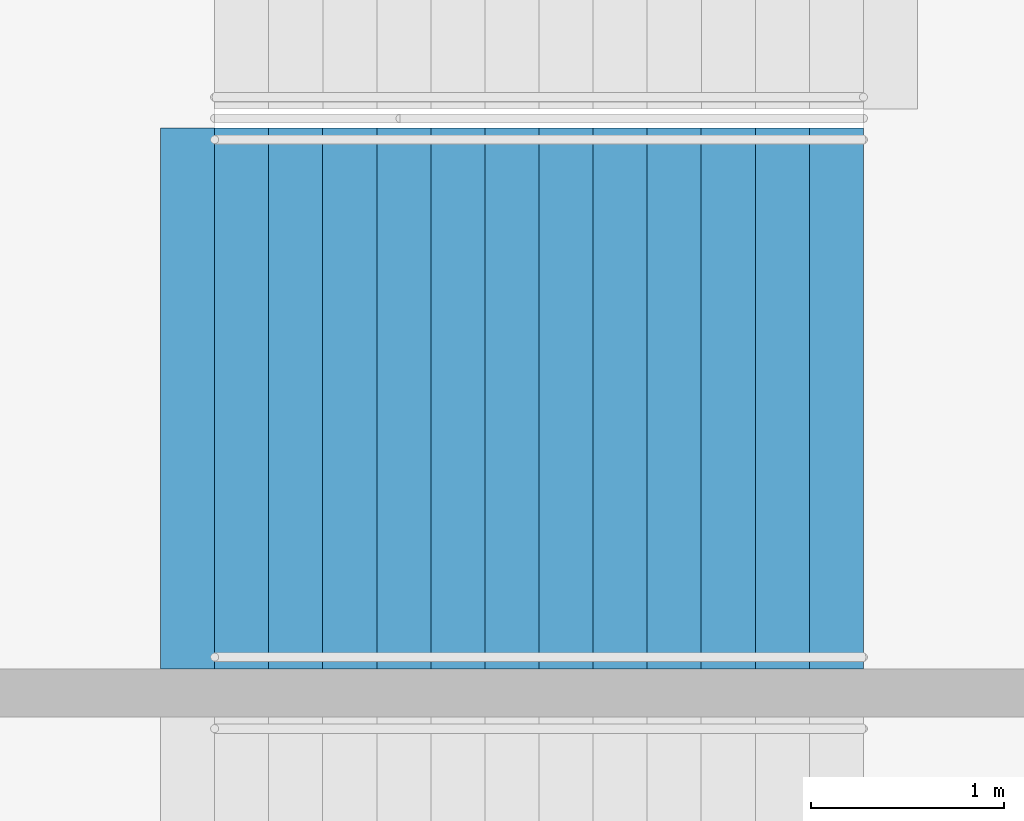
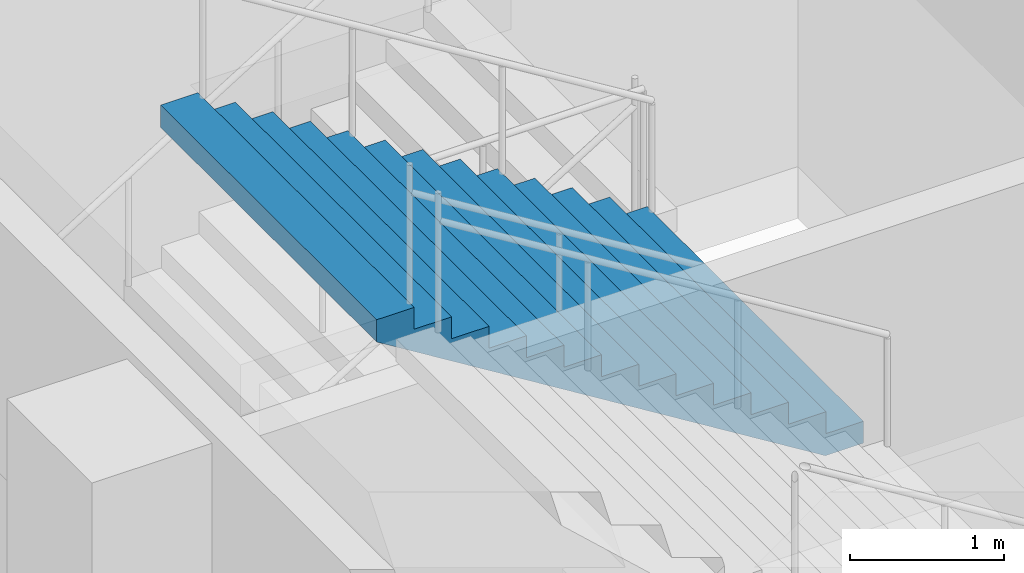
# One storey, part 140 of 199: 1 stair flight, 1 element without a shape of its own.
"""IFC4 building model written with IfcOpenShell, lengths in metres."""

from ifc_helpers import new_model, si_unit, direction, frame, origin, place, context, subcontext, project, spatial, faceted_brep, material, type_object, element, aggregate, save


model = new_model("IFC4")

# Units and contexts
model_context = context("Model", 3, precision=1e-05, world=origin(), true_north=direction((0.0, 1.0)))
body_context = subcontext(model_context, "Body", "Model", "MODEL_VIEW")
ifc_project = project(units=[si_unit("LENGTHUNIT", "METRE"), si_unit("AREAUNIT", "SQUARE_METRE"), si_unit("VOLUMEUNIT", "CUBIC_METRE"), si_unit("PLANEANGLEUNIT", "RADIAN"), si_unit("MASSUNIT", "GRAM", prefix="KILO")], contexts=[model_context])

# Site, building, storey
site_placement = place(None, origin())
site = spatial("IfcSite", under=ifc_project, at=site_placement, CompositionType="ELEMENT")
building_placement = place(site_placement, origin())
building = spatial("IfcBuilding", under=site, at=building_placement, Name="Ogive Plaza Stadium", CompositionType="ELEMENT")
storey_placement = place(building_placement, frame((0.0, 0.0, 9.0)))
storey = spatial("IfcBuildingStorey", under=building, at=storey_placement, Name="L02", CompositionType="ELEMENT", Elevation=9.0)

# Stair, stair flight
ifc_material_1 = material(Name="Concrete C40/50", Category="concrete")
stair_type = type_object("IfcStairType", Name="Exit stair", PredefinedType="STRAIGHT_RUN_STAIR", material=ifc_material_1)
stair_placement = place(storey_placement, origin())
stair = element("IfcStair", 1, at=stair_placement, inside=storey, type_object=stair_type, Name="Exit stair ST08B L02 to L03", PredefinedType="STRAIGHT_RUN_STAIR")
ifc_material_2 = material(Name="Concrete C40/50", Category="concrete")
stair_flight_type = type_object("IfcStairFlightType", Name="Exit stair flight", PredefinedType="STRAIGHT", material=ifc_material_2)
stair_flight_placement = place(storey_placement, frame((79.7099609375, -50.97509765625, 2.25), z_axis=(0.0, 0.0, 1.0), x_axis=(-1.0, 0.0, 0.0)))
stair_flight = element("IfcStairFlight", 2, at=stair_flight_placement, type_object=stair_flight_type, Name="ST08B flight 2", NumberOfRisers=13, NumberOfTreads=12, PredefinedType="STRAIGHT", RiserHeight=0.173076923, TreadLength=0.28, context=body_context, shape_type="Brep", body=[
    faceted_brep([(0.28515625, -1.39990234375, 0.0), (3.639892578125, -1.39990234375, 2.07373046875), (3.639892578125, -1.39990234375, 2.25), (3.360107421875, -1.39990234375, 2.25), (3.360107421875, -1.39990234375, 2.076904296875), (3.080078125, -1.39990234375, 2.076904296875), (3.080078125, -1.39990234375, 1.90380859375), (2.800048828125, -1.39990234375, 1.90380859375), (2.800048828125, -1.39990234375, 1.730712890625), (2.52001953125, -1.39990234375, 1.730712890625), (2.52001953125, -1.39990234375, 1.5576171875), (2.239990234375, -1.39990234375, 1.5576171875), (2.239990234375, -1.39990234375, 1.384521484375), (1.9599609375, -1.39990234375, 1.384521484375), (1.9599609375, -1.39990234375, 1.21142578125), (1.679931640625, -1.39990234375, 1.21142578125), (1.679931640625, -1.39990234375, 1.03857421875), (1.39990234375, -1.39990234375, 1.03857421875), (1.39990234375, -1.39990234375, 0.865478515625), (1.1201171875, -1.39990234375, 0.865478515625), (1.1201171875, -1.39990234375, 0.6923828125), (0.840087890625, -1.39990234375, 0.6923828125), (0.840087890625, -1.39990234375, 0.519287109375), (0.56005859375, -1.39990234375, 0.519287109375), (0.56005859375, -1.39990234375, 0.34619140625), (0.280029296875, -1.39990234375, 0.34619140625), (0.280029296875, -1.39990234375, 0.173095703125), (0.0, -1.39990234375, 0.173095703125), (0.0, -1.39990234375, 0.0), (0.0, 1.39990234375, 0.0), (0.0, 1.39990234375, 0.173095703125), (0.280029296875, 1.39990234375, 0.173095703125), (0.280029296875, 1.39990234375, 0.34619140625), (0.56005859375, 1.39990234375, 0.34619140625), (0.56005859375, 1.39990234375, 0.519287109375), (0.840087890625, 1.39990234375, 0.519287109375), (0.840087890625, 1.39990234375, 0.6923828125), (1.1201171875, 1.39990234375, 0.6923828125), (1.1201171875, 1.39990234375, 0.865478515625), (1.39990234375, 1.39990234375, 0.865478515625), (1.39990234375, 1.39990234375, 1.03857421875), (1.679931640625, 1.39990234375, 1.03857421875), (1.679931640625, 1.39990234375, 1.21142578125), (1.9599609375, 1.39990234375, 1.21142578125), (1.9599609375, 1.39990234375, 1.384521484375), (2.239990234375, 1.39990234375, 1.384521484375), (2.239990234375, 1.39990234375, 1.5576171875), (2.52001953125, 1.39990234375, 1.5576171875), (2.52001953125, 1.39990234375, 1.730712890625), (2.800048828125, 1.39990234375, 1.730712890625), (2.800048828125, 1.39990234375, 1.90380859375), (3.080078125, 1.39990234375, 1.90380859375), (3.080078125, 1.39990234375, 2.076904296875), (3.360107421875, 1.39990234375, 2.076904296875), (3.360107421875, 1.39990234375, 2.25), (3.639892578125, 1.39990234375, 2.25), (3.639892578125, 1.39990234375, 2.07373046875), (0.28515625, 1.39990234375, 0.0), (0.28515625, -1.0888671875, 0.0), (3.639892578125, -1.0888671875, 2.07373046875), (0.28515625, -0.77783203125, 0.0), (3.639892578125, -0.77783203125, 2.07373046875), (0.28515625, -0.466796875, 0.0), (3.639892578125, -0.466796875, 2.07373046875), (0.28515625, -0.155517578125, 0.0), (3.639892578125, -0.155517578125, 2.07373046875), (0.28515625, 0.155517578125, 0.0), (3.639892578125, 0.155517578125, 2.07373046875), (0.28515625, 0.466796875, 0.0), (3.639892578125, 0.466796875, 2.07373046875), (0.28515625, 0.77783203125, 0.0), (3.639892578125, 0.77783203125, 2.07373046875), (0.28515625, 1.0888671875, 0.0), (3.639892578125, 1.0888671875, 2.07373046875), (3.639892578125, -1.0888671875, 2.25), (3.639892578125, -0.77783203125, 2.25), (3.639892578125, -0.466796875, 2.25), (3.639892578125, -0.155517578125, 2.25), (3.639892578125, 0.155517578125, 2.25), (3.639892578125, 0.466796875, 2.25), (3.639892578125, 0.77783203125, 2.25), (3.639892578125, 1.0888671875, 2.25), (3.360107421875, -1.0888671875, 2.25), (3.360107421875, -0.77783203125, 2.25), (3.360107421875, -0.466796875, 2.25), (3.360107421875, -0.155517578125, 2.25), (3.360107421875, 0.155517578125, 2.25), (3.360107421875, 0.466796875, 2.25), (3.360107421875, 0.77783203125, 2.25), (3.360107421875, 1.0888671875, 2.25), (3.360107421875, -1.0888671875, 2.076904296875), (3.360107421875, -0.77783203125, 2.076904296875), (3.360107421875, -0.466796875, 2.076904296875), (3.360107421875, -0.155517578125, 2.076904296875), (3.360107421875, 0.155517578125, 2.076904296875), (3.360107421875, 0.466796875, 2.076904296875), (3.360107421875, 0.77783203125, 2.076904296875), (3.360107421875, 1.0888671875, 2.076904296875), (3.080078125, -1.0888671875, 2.076904296875), (3.080078125, -0.77783203125, 2.076904296875), (3.080078125, -0.466796875, 2.076904296875), (3.080078125, -0.155517578125, 2.076904296875), (3.080078125, 0.155517578125, 2.076904296875), (3.080078125, 0.466796875, 2.076904296875), (3.080078125, 0.77783203125, 2.076904296875), (3.080078125, 1.0888671875, 2.076904296875), (3.080078125, -1.0888671875, 1.90380859375), (3.080078125, -0.77783203125, 1.90380859375), (3.080078125, -0.466796875, 1.90380859375), (3.080078125, -0.155517578125, 1.90380859375), (3.080078125, 0.155517578125, 1.90380859375), (3.080078125, 0.466796875, 1.90380859375), (3.080078125, 0.77783203125, 1.90380859375), (3.080078125, 1.0888671875, 1.90380859375), (2.800048828125, -1.0888671875, 1.90380859375), (2.800048828125, -0.77783203125, 1.90380859375), (2.800048828125, -0.466796875, 1.90380859375), (2.800048828125, -0.155517578125, 1.90380859375), (2.800048828125, 0.155517578125, 1.90380859375), (2.800048828125, 0.466796875, 1.90380859375), (2.800048828125, 0.77783203125, 1.90380859375), (2.800048828125, 1.0888671875, 1.90380859375), (2.800048828125, -1.0888671875, 1.730712890625), (2.800048828125, -0.77783203125, 1.730712890625), (2.800048828125, -0.466796875, 1.730712890625), (2.800048828125, -0.155517578125, 1.730712890625), (2.800048828125, 0.155517578125, 1.730712890625), (2.800048828125, 0.466796875, 1.730712890625), (2.800048828125, 0.77783203125, 1.730712890625), (2.800048828125, 1.0888671875, 1.730712890625), (2.52001953125, -1.0888671875, 1.730712890625), (2.52001953125, -0.77783203125, 1.730712890625), (2.52001953125, -0.466796875, 1.730712890625), (2.52001953125, -0.155517578125, 1.730712890625), (2.52001953125, 0.155517578125, 1.730712890625), (2.52001953125, 0.466796875, 1.730712890625), (2.52001953125, 0.77783203125, 1.730712890625), (2.52001953125, 1.0888671875, 1.730712890625), (2.52001953125, -1.0888671875, 1.5576171875), (2.52001953125, -0.77783203125, 1.5576171875), (2.52001953125, -0.466796875, 1.5576171875), (2.52001953125, -0.155517578125, 1.5576171875), (2.52001953125, 0.155517578125, 1.5576171875), (2.52001953125, 0.466796875, 1.5576171875), (2.52001953125, 0.77783203125, 1.5576171875), (2.52001953125, 1.0888671875, 1.5576171875), (2.239990234375, -1.0888671875, 1.5576171875), (2.239990234375, -0.77783203125, 1.5576171875), (2.239990234375, -0.466796875, 1.5576171875), (2.239990234375, -0.155517578125, 1.5576171875), (2.239990234375, 0.155517578125, 1.5576171875), (2.239990234375, 0.466796875, 1.5576171875), (2.239990234375, 0.77783203125, 1.5576171875), (2.239990234375, 1.0888671875, 1.5576171875), (2.239990234375, -1.0888671875, 1.384521484375), (2.239990234375, -0.77783203125, 1.384521484375), (2.239990234375, -0.466796875, 1.384521484375), (2.239990234375, -0.155517578125, 1.384521484375), (2.239990234375, 0.155517578125, 1.384521484375), (2.239990234375, 0.466796875, 1.384521484375), (2.239990234375, 0.77783203125, 1.384521484375), (2.239990234375, 1.0888671875, 1.384521484375), (1.9599609375, -1.0888671875, 1.384521484375), (1.9599609375, -0.77783203125, 1.384521484375), (1.9599609375, -0.466796875, 1.384521484375), (1.9599609375, -0.155517578125, 1.384521484375), (1.9599609375, 0.155517578125, 1.384521484375), (1.9599609375, 0.466796875, 1.384521484375), (1.9599609375, 0.77783203125, 1.384521484375), (1.9599609375, 1.0888671875, 1.384521484375), (1.9599609375, -1.0888671875, 1.21142578125), (1.9599609375, -0.77783203125, 1.21142578125), (1.9599609375, -0.466796875, 1.21142578125), (1.9599609375, -0.155517578125, 1.21142578125), (1.9599609375, 0.155517578125, 1.21142578125), (1.9599609375, 0.466796875, 1.21142578125), (1.9599609375, 0.77783203125, 1.21142578125), (1.9599609375, 1.0888671875, 1.21142578125), (1.679931640625, -1.0888671875, 1.21142578125), (1.679931640625, -0.77783203125, 1.21142578125), (1.679931640625, -0.466796875, 1.21142578125), (1.679931640625, -0.155517578125, 1.21142578125), (1.679931640625, 0.155517578125, 1.21142578125), (1.679931640625, 0.466796875, 1.21142578125), (1.679931640625, 0.77783203125, 1.21142578125), (1.679931640625, 1.0888671875, 1.21142578125), (1.679931640625, -1.0888671875, 1.03857421875), (1.679931640625, -0.77783203125, 1.03857421875), (1.679931640625, -0.466796875, 1.03857421875), (1.679931640625, -0.155517578125, 1.03857421875), (1.679931640625, 0.155517578125, 1.03857421875), (1.679931640625, 0.466796875, 1.03857421875), (1.679931640625, 0.77783203125, 1.03857421875), (1.679931640625, 1.0888671875, 1.03857421875), (1.39990234375, -1.0888671875, 1.03857421875), (1.39990234375, -0.77783203125, 1.03857421875), (1.39990234375, -0.466796875, 1.03857421875), (1.39990234375, -0.155517578125, 1.03857421875), (1.39990234375, 0.155517578125, 1.03857421875), (1.39990234375, 0.466796875, 1.03857421875), (1.39990234375, 0.77783203125, 1.03857421875), (1.39990234375, 1.0888671875, 1.03857421875), (1.39990234375, -1.0888671875, 0.865478515625), (1.39990234375, -0.77783203125, 0.865478515625), (1.39990234375, -0.466796875, 0.865478515625), (1.39990234375, -0.155517578125, 0.865478515625), (1.39990234375, 0.155517578125, 0.865478515625), (1.39990234375, 0.466796875, 0.865478515625), (1.39990234375, 0.77783203125, 0.865478515625), (1.39990234375, 1.0888671875, 0.865478515625), (1.1201171875, -1.0888671875, 0.865478515625), (1.1201171875, -0.77783203125, 0.865478515625), (1.1201171875, -0.466796875, 0.865478515625), (1.1201171875, -0.155517578125, 0.865478515625), (1.1201171875, 0.155517578125, 0.865478515625), (1.1201171875, 0.466796875, 0.865478515625), (1.1201171875, 0.77783203125, 0.865478515625), (1.1201171875, 1.0888671875, 0.865478515625), (1.1201171875, -1.0888671875, 0.6923828125), (1.1201171875, -0.77783203125, 0.6923828125), (1.1201171875, -0.466796875, 0.6923828125), (1.1201171875, -0.155517578125, 0.6923828125), (1.1201171875, 0.155517578125, 0.6923828125), (1.1201171875, 0.466796875, 0.6923828125), (1.1201171875, 0.77783203125, 0.6923828125), (1.1201171875, 1.0888671875, 0.6923828125), (0.840087890625, -1.0888671875, 0.6923828125), (0.840087890625, -0.77783203125, 0.6923828125), (0.840087890625, -0.466796875, 0.6923828125), (0.840087890625, -0.155517578125, 0.6923828125), (0.840087890625, 0.155517578125, 0.6923828125), (0.840087890625, 0.466796875, 0.6923828125), (0.840087890625, 0.77783203125, 0.6923828125), (0.840087890625, 1.0888671875, 0.6923828125), (0.840087890625, -1.0888671875, 0.519287109375), (0.840087890625, -0.77783203125, 0.519287109375), (0.840087890625, -0.466796875, 0.519287109375), (0.840087890625, -0.155517578125, 0.519287109375), (0.840087890625, 0.155517578125, 0.519287109375), (0.840087890625, 0.466796875, 0.519287109375), (0.840087890625, 0.77783203125, 0.519287109375), (0.840087890625, 1.0888671875, 0.519287109375), (0.56005859375, -1.0888671875, 0.519287109375), (0.56005859375, -0.77783203125, 0.519287109375), (0.56005859375, -0.466796875, 0.519287109375), (0.56005859375, -0.155517578125, 0.519287109375), (0.56005859375, 0.155517578125, 0.519287109375), (0.56005859375, 0.466796875, 0.519287109375), (0.56005859375, 0.77783203125, 0.519287109375), (0.56005859375, 1.0888671875, 0.519287109375), (0.56005859375, -1.0888671875, 0.34619140625), (0.56005859375, -0.77783203125, 0.34619140625), (0.56005859375, -0.466796875, 0.34619140625), (0.56005859375, -0.155517578125, 0.34619140625), (0.56005859375, 0.155517578125, 0.34619140625), (0.56005859375, 0.466796875, 0.34619140625), (0.56005859375, 0.77783203125, 0.34619140625), (0.56005859375, 1.0888671875, 0.34619140625), (0.280029296875, -1.0888671875, 0.34619140625), (0.280029296875, -0.77783203125, 0.34619140625), (0.280029296875, -0.466796875, 0.34619140625), (0.280029296875, -0.155517578125, 0.34619140625), (0.280029296875, 0.155517578125, 0.34619140625), (0.280029296875, 0.466796875, 0.34619140625), (0.280029296875, 0.77783203125, 0.34619140625), (0.280029296875, 1.0888671875, 0.34619140625), (0.280029296875, -1.0888671875, 0.173095703125), (0.280029296875, -0.77783203125, 0.173095703125), (0.280029296875, -0.466796875, 0.173095703125), (0.280029296875, -0.155517578125, 0.173095703125), (0.280029296875, 0.155517578125, 0.173095703125), (0.280029296875, 0.466796875, 0.173095703125), (0.280029296875, 0.77783203125, 0.173095703125), (0.280029296875, 1.0888671875, 0.173095703125), (0.0, -1.0888671875, 0.173095703125), (0.0, -0.77783203125, 0.173095703125), (0.0, -0.466796875, 0.173095703125), (0.0, -0.155517578125, 0.173095703125), (0.0, 0.155517578125, 0.173095703125), (0.0, 0.466796875, 0.173095703125), (0.0, 0.77783203125, 0.173095703125), (0.0, 1.0888671875, 0.173095703125), (0.0, -1.0888671875, 0.0), (0.0, -0.77783203125, 0.0), (0.0, -0.466796875, 0.0), (0.0, -0.155517578125, 0.0), (0.0, 0.155517578125, 0.0), (0.0, 0.466796875, 0.0), (0.0, 0.77783203125, 0.0), (0.0, 1.0888671875, 0.0)], [[[0, 1, 2, 3, 4, 5, 6, 7, 8, 9, 10, 11, 12, 13, 14, 15, 16, 17, 18, 19, 20, 21, 22, 23, 24, 25, 26, 27, 28]], [[29, 30, 31, 32, 33, 34, 35, 36, 37, 38, 39, 40, 41, 42, 43, 44, 45, 46, 47, 48, 49, 50, 51, 52, 53, 54, 55, 56, 57]], [[0, 58, 59, 1]], [[58, 60, 61, 59]], [[60, 62, 63, 61]], [[62, 64, 65, 63]], [[64, 66, 67, 65]], [[66, 68, 69, 67]], [[68, 70, 71, 69]], [[70, 72, 73, 71]], [[72, 57, 56, 73]], [[1, 59, 74, 2]], [[59, 61, 75, 74]], [[61, 63, 76, 75]], [[63, 65, 77, 76]], [[65, 67, 78, 77]], [[67, 69, 79, 78]], [[69, 71, 80, 79]], [[71, 73, 81, 80]], [[73, 56, 55, 81]], [[2, 74, 82, 3]], [[74, 75, 83, 82]], [[75, 76, 84, 83]], [[76, 77, 85, 84]], [[77, 78, 86, 85]], [[78, 79, 87, 86]], [[79, 80, 88, 87]], [[80, 81, 89, 88]], [[81, 55, 54, 89]], [[3, 82, 90, 4]], [[82, 83, 91, 90]], [[83, 84, 92, 91]], [[84, 85, 93, 92]], [[85, 86, 94, 93]], [[86, 87, 95, 94]], [[87, 88, 96, 95]], [[88, 89, 97, 96]], [[89, 54, 53, 97]], [[4, 90, 98, 5]], [[90, 91, 99, 98]], [[91, 92, 100, 99]], [[92, 93, 101, 100]], [[93, 94, 102, 101]], [[94, 95, 103, 102]], [[95, 96, 104, 103]], [[96, 97, 105, 104]], [[97, 53, 52, 105]], [[5, 98, 106, 6]], [[98, 99, 107, 106]], [[99, 100, 108, 107]], [[100, 101, 109, 108]], [[101, 102, 110, 109]], [[102, 103, 111, 110]], [[103, 104, 112, 111]], [[104, 105, 113, 112]], [[105, 52, 51, 113]], [[6, 106, 114, 7]], [[106, 107, 115, 114]], [[107, 108, 116, 115]], [[108, 109, 117, 116]], [[109, 110, 118, 117]], [[110, 111, 119, 118]], [[111, 112, 120, 119]], [[112, 113, 121, 120]], [[113, 51, 50, 121]], [[7, 114, 122, 8]], [[114, 115, 123, 122]], [[115, 116, 124, 123]], [[116, 117, 125, 124]], [[117, 118, 126, 125]], [[118, 119, 127, 126]], [[119, 120, 128, 127]], [[120, 121, 129, 128]], [[121, 50, 49, 129]], [[8, 122, 130, 9]], [[122, 123, 131, 130]], [[123, 124, 132, 131]], [[124, 125, 133, 132]], [[125, 126, 134, 133]], [[126, 127, 135, 134]], [[127, 128, 136, 135]], [[128, 129, 137, 136]], [[129, 49, 48, 137]], [[9, 130, 138, 10]], [[130, 131, 139, 138]], [[131, 132, 140, 139]], [[132, 133, 141, 140]], [[133, 134, 142, 141]], [[134, 135, 143, 142]], [[135, 136, 144, 143]], [[136, 137, 145, 144]], [[137, 48, 47, 145]], [[10, 138, 146, 11]], [[138, 139, 147, 146]], [[139, 140, 148, 147]], [[140, 141, 149, 148]], [[141, 142, 150, 149]], [[142, 143, 151, 150]], [[143, 144, 152, 151]], [[144, 145, 153, 152]], [[145, 47, 46, 153]], [[11, 146, 154, 12]], [[146, 147, 155, 154]], [[147, 148, 156, 155]], [[148, 149, 157, 156]], [[149, 150, 158, 157]], [[150, 151, 159, 158]], [[151, 152, 160, 159]], [[152, 153, 161, 160]], [[153, 46, 45, 161]], [[12, 154, 162, 13]], [[154, 155, 163, 162]], [[155, 156, 164, 163]], [[156, 157, 165, 164]], [[157, 158, 166, 165]], [[158, 159, 167, 166]], [[159, 160, 168, 167]], [[160, 161, 169, 168]], [[161, 45, 44, 169]], [[13, 162, 170, 14]], [[162, 163, 171, 170]], [[163, 164, 172, 171]], [[164, 165, 173, 172]], [[165, 166, 174, 173]], [[166, 167, 175, 174]], [[167, 168, 176, 175]], [[168, 169, 177, 176]], [[169, 44, 43, 177]], [[14, 170, 178, 15]], [[170, 171, 179, 178]], [[171, 172, 180, 179]], [[172, 173, 181, 180]], [[173, 174, 182, 181]], [[174, 175, 183, 182]], [[175, 176, 184, 183]], [[176, 177, 185, 184]], [[177, 43, 42, 185]], [[15, 178, 186, 16]], [[178, 179, 187, 186]], [[179, 180, 188, 187]], [[180, 181, 189, 188]], [[181, 182, 190, 189]], [[182, 183, 191, 190]], [[183, 184, 192, 191]], [[184, 185, 193, 192]], [[185, 42, 41, 193]], [[16, 186, 194, 17]], [[186, 187, 195, 194]], [[187, 188, 196, 195]], [[188, 189, 197, 196]], [[189, 190, 198, 197]], [[190, 191, 199, 198]], [[191, 192, 200, 199]], [[192, 193, 201, 200]], [[193, 41, 40, 201]], [[17, 194, 202, 18]], [[194, 195, 203, 202]], [[195, 196, 204, 203]], [[196, 197, 205, 204]], [[197, 198, 206, 205]], [[198, 199, 207, 206]], [[199, 200, 208, 207]], [[200, 201, 209, 208]], [[201, 40, 39, 209]], [[18, 202, 210, 19]], [[202, 203, 211, 210]], [[203, 204, 212, 211]], [[204, 205, 213, 212]], [[205, 206, 214, 213]], [[206, 207, 215, 214]], [[207, 208, 216, 215]], [[208, 209, 217, 216]], [[209, 39, 38, 217]], [[19, 210, 218, 20]], [[210, 211, 219, 218]], [[211, 212, 220, 219]], [[212, 213, 221, 220]], [[213, 214, 222, 221]], [[214, 215, 223, 222]], [[215, 216, 224, 223]], [[216, 217, 225, 224]], [[217, 38, 37, 225]], [[20, 218, 226, 21]], [[218, 219, 227, 226]], [[219, 220, 228, 227]], [[220, 221, 229, 228]], [[221, 222, 230, 229]], [[222, 223, 231, 230]], [[223, 224, 232, 231]], [[224, 225, 233, 232]], [[225, 37, 36, 233]], [[21, 226, 234, 22]], [[226, 227, 235, 234]], [[227, 228, 236, 235]], [[228, 229, 237, 236]], [[229, 230, 238, 237]], [[230, 231, 239, 238]], [[231, 232, 240, 239]], [[232, 233, 241, 240]], [[233, 36, 35, 241]], [[22, 234, 242, 23]], [[234, 235, 243, 242]], [[235, 236, 244, 243]], [[236, 237, 245, 244]], [[237, 238, 246, 245]], [[238, 239, 247, 246]], [[239, 240, 248, 247]], [[240, 241, 249, 248]], [[241, 35, 34, 249]], [[23, 242, 250, 24]], [[242, 243, 251, 250]], [[243, 244, 252, 251]], [[244, 245, 253, 252]], [[245, 246, 254, 253]], [[246, 247, 255, 254]], [[247, 248, 256, 255]], [[248, 249, 257, 256]], [[249, 34, 33, 257]], [[24, 250, 258, 25]], [[250, 251, 259, 258]], [[251, 252, 260, 259]], [[252, 253, 261, 260]], [[253, 254, 262, 261]], [[254, 255, 263, 262]], [[255, 256, 264, 263]], [[256, 257, 265, 264]], [[257, 33, 32, 265]], [[25, 258, 266, 26]], [[258, 259, 267, 266]], [[259, 260, 268, 267]], [[260, 261, 269, 268]], [[261, 262, 270, 269]], [[262, 263, 271, 270]], [[263, 264, 272, 271]], [[264, 265, 273, 272]], [[265, 32, 31, 273]], [[26, 266, 274, 27]], [[266, 267, 275, 274]], [[267, 268, 276, 275]], [[268, 269, 277, 276]], [[269, 270, 278, 277]], [[270, 271, 279, 278]], [[271, 272, 280, 279]], [[272, 273, 281, 280]], [[273, 31, 30, 281]], [[27, 274, 282, 28]], [[274, 275, 283, 282]], [[275, 276, 284, 283]], [[276, 277, 285, 284]], [[277, 278, 286, 285]], [[278, 279, 287, 286]], [[279, 280, 288, 287]], [[280, 281, 289, 288]], [[281, 30, 29, 289]], [[28, 282, 58, 0]], [[282, 283, 60, 58]], [[283, 284, 62, 60]], [[284, 285, 64, 62]], [[285, 286, 66, 64]], [[286, 287, 68, 66]], [[287, 288, 70, 68]], [[288, 289, 72, 70]], [[289, 29, 57, 72]]]),
])
aggregate(stair, [stair_flight])

save(model, "model.ifc")
